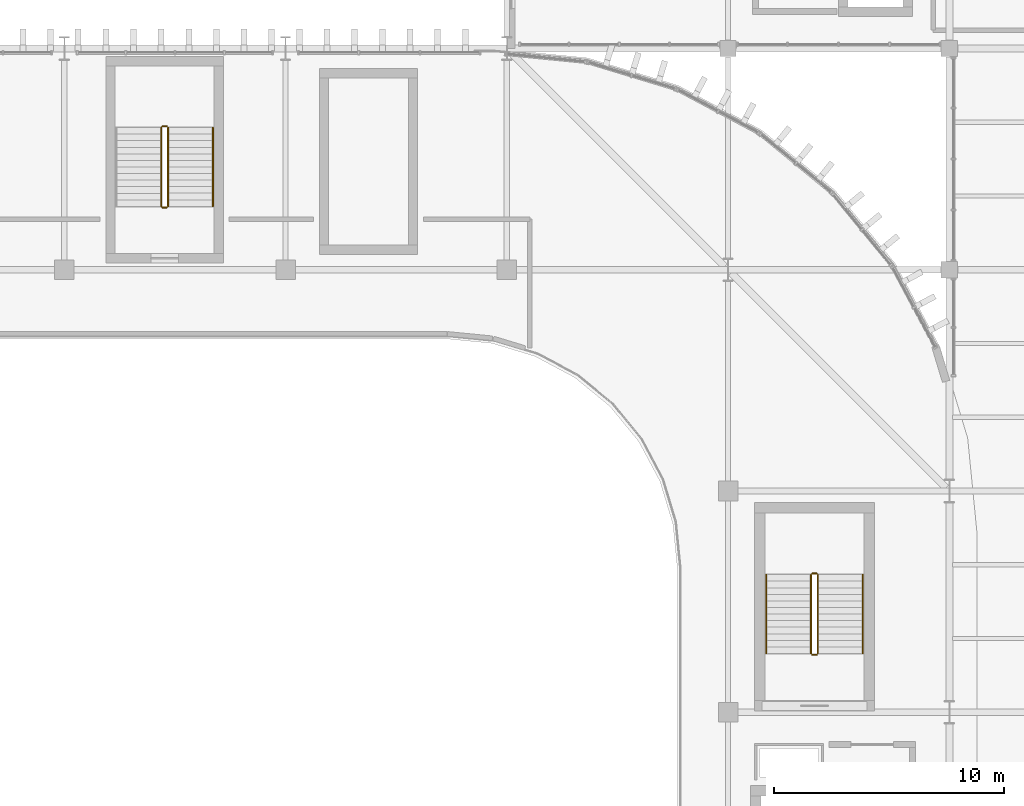
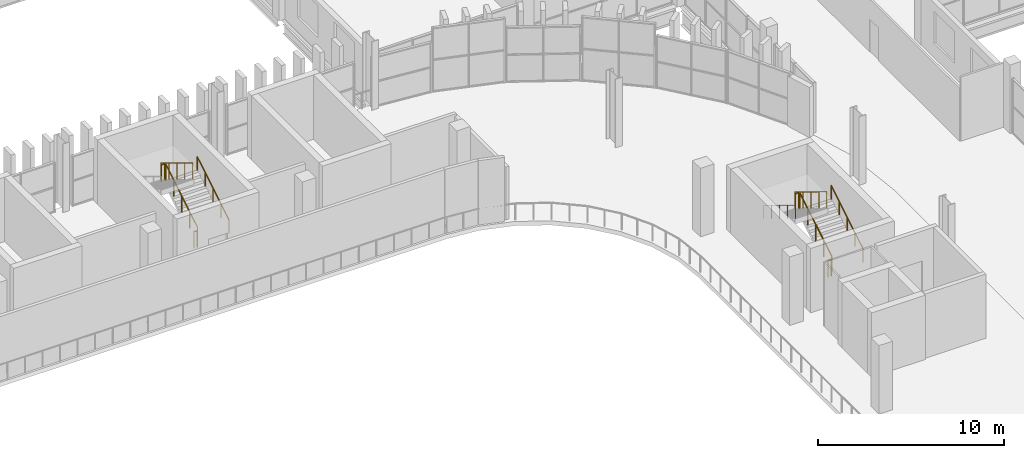
# One storey, part 87 of 92: 11 railings.
"""IFC4 building model written with IfcOpenShell, lengths in metres."""

from ifc_helpers import new_model, si_unit, direction, frame, origin, origin_2d, place, context, subcontext, project, spatial, circle, extrude, material, type_object, element, save


model = new_model("IFC4")

# Units and contexts
model_context = context("Model", 3, precision=1e-05, world=origin(), true_north=direction((0.0, 1.0)))
body_context = subcontext(model_context, "Body", "Model", "MODEL_VIEW")
ifc_project = project(units=[si_unit("LENGTHUNIT", "METRE"), si_unit("AREAUNIT", "SQUARE_METRE"), si_unit("VOLUMEUNIT", "CUBIC_METRE"), si_unit("PLANEANGLEUNIT", "RADIAN"), si_unit("MASSUNIT", "GRAM", prefix="KILO")], contexts=[model_context])

# Site, building, storey
site_placement = place(None, origin())
site = spatial("IfcSite", under=ifc_project, at=site_placement, CompositionType="ELEMENT")
building_placement = place(site_placement, origin())
building = spatial("IfcBuilding", under=site, at=building_placement, Name="Caelomonte Colonnade Arena", CompositionType="ELEMENT")
storey_placement = place(building_placement, frame((0.0, 0.0, 9.60009765625)))
storey = spatial("IfcBuildingStorey", under=building, at=storey_placement, Name="L02", CompositionType="ELEMENT", Elevation=9.60009765625)

# Railings
ifc_material_1 = material(Name="Painted galvanized steel stair guard", Category="steel")
railing_type_1 = type_object("IfcRailingType", Name="INT-RL-GRD", PredefinedType="GUARDRAIL", material=ifc_material_1)
railing_1_placement = place(storey_placement, frame((157.5, 88.949951171875, 0.173095703125)))
element("IfcRailing", 1, at=railing_1_placement, inside=storey, type_object=railing_type_1, Name="L02 ST-03 stair guard 1", PredefinedType="GUARDRAIL", context=body_context, shape_type="SweptSolid", body=[
    extrude(circle(Radius=0.02392578125, at=origin_2d()), frame((0.0, 0.0, 1.076171875), z_axis=(0.0, 0.854745945586, 0.519046595696), x_axis=(-1.0, 0.0, 0.0)), (0.0, 0.0, 1.0), 4.00146484375),
    extrude(circle(Radius=0.02099609375, at=origin_2d()), origin(), (0.0, 0.0, 1.0), 1.048095703125),
    extrude(circle(Radius=0.02099609375, at=origin_2d()), frame((0.0, 0.85498046875, 0.519287109375)), (0.0, 0.0, 1.0), 1.048095703125),
    extrude(circle(Radius=0.02099609375, at=origin_2d()), frame((0.0, 1.7099609375, 1.03857421875)), (0.0, 0.0, 1.0), 1.048095703125),
    extrude(circle(Radius=0.02099609375, at=origin_2d()), frame((0.0, 2.565185546875, 1.5576171875)), (0.0, 0.0, 1.0), 1.048095703125),
    extrude(circle(Radius=0.02099609375, at=origin_2d()), frame((0.0, 3.420166015625, 2.076904296875)), (0.0, 0.0, 1.0), 1.048095703125),
])
railing_2_placement = place(storey_placement, frame((157.449951171875, 92.419921875, 2.25)))
element("IfcRailing", 2, at=railing_2_placement, inside=storey, type_object=railing_type_1, Name="L02 ST-03 stair guard 2", PredefinedType="GUARDRAIL", context=body_context, shape_type="SweptSolid", body=[
    extrude(circle(Radius=0.02392578125, at=origin_2d()), frame((0.0, 0.0, 1.076171875), z_axis=(-1.0, 0.0, 0.0), x_axis=(0.0, -1.0, 0.0)), (0.0, 0.0, 1.0), 0.199951171875),
    extrude(circle(Radius=0.02099609375, at=origin_2d()), origin(), (0.0, 0.0, 1.0), 1.048095703125),
    extrude(circle(Radius=0.02099609375, at=origin_2d()), frame((-0.199951171875, 0.0, 0.0)), (0.0, 0.0, 1.0), 1.048095703125),
])
railing_3_placement = place(storey_placement, frame((157.199951171875, 92.3701171875, 2.423095703125)))
element("IfcRailing", 3, at=railing_3_placement, inside=storey, type_object=railing_type_1, Name="L02 ST-03 stair guard 3", PredefinedType="GUARDRAIL", context=body_context, shape_type="SweptSolid", body=[
    extrude(circle(Radius=0.02392578125, at=origin_2d()), frame((0.0, 0.0, 1.076171875), z_axis=(0.0, -0.854745945586, 0.519046595696), x_axis=(1.0, 0.0, 0.0)), (0.0, 0.0, 1.0), 4.00146484375),
    extrude(circle(Radius=0.02099609375, at=origin_2d()), origin(), (0.0, 0.0, 1.0), 1.048095703125),
    extrude(circle(Radius=0.02099609375, at=origin_2d()), frame((0.0, -0.85498046875, 0.519287109375)), (0.0, 0.0, 1.0), 1.048095703125),
    extrude(circle(Radius=0.02099609375, at=origin_2d()), frame((0.0, -1.7099609375, 1.03857421875)), (0.0, 0.0, 1.0), 1.048095703125),
    extrude(circle(Radius=0.02099609375, at=origin_2d()), frame((0.0, -2.565185546875, 1.5576171875)), (0.0, 0.0, 1.0), 1.048095703125),
    extrude(circle(Radius=0.02099609375, at=origin_2d()), frame((0.0, -3.420166015625, 2.076904296875)), (0.0, 0.0, 1.0), 1.048095703125),
])
railing_4_placement = place(storey_placement, frame((157.449951171875, 88.89990234375, 0.0)))
element("IfcRailing", 4, at=railing_4_placement, inside=storey, type_object=railing_type_1, Name="L02 ST-03 stair guard 4", PredefinedType="GUARDRAIL", context=body_context, shape_type="SweptSolid", body=[
    extrude(circle(Radius=0.02392578125, at=origin_2d()), frame((0.0, 0.0, 1.076171875), z_axis=(-1.0, 0.0, 0.0), x_axis=(0.0, -1.0, 0.0)), (0.0, 0.0, 1.0), 0.199951171875),
    extrude(circle(Radius=0.02099609375, at=origin_2d()), origin(), (0.0, 0.0, 1.0), 1.048095703125),
    extrude(circle(Radius=0.02099609375, at=origin_2d()), frame((-0.199951171875, 0.0, 0.0)), (0.0, 0.0, 1.0), 1.048095703125),
])
railing_5_placement = place(storey_placement, frame((129.300048828125, 108.35009765625, 0.173095703125)))
element("IfcRailing", 5, at=railing_5_placement, inside=storey, type_object=railing_type_1, Name="L02 ST-16 stair guard 1", PredefinedType="GUARDRAIL", context=body_context, shape_type="SweptSolid", body=[
    extrude(circle(Radius=0.02392578125, at=origin_2d()), frame((0.0, 0.0, 1.076171875), z_axis=(0.0, 0.854729506542, 0.519073665916), x_axis=(-1.0, 0.0, 0.0)), (0.0, 0.0, 1.0), 4.001220703125),
    extrude(circle(Radius=0.02099609375, at=origin_2d()), origin(), (0.0, 0.0, 1.0), 1.048095703125),
    extrude(circle(Radius=0.02099609375, at=origin_2d()), frame((0.0, 0.85498046875, 0.519287109375)), (0.0, 0.0, 1.0), 1.048095703125),
    extrude(circle(Radius=0.02099609375, at=origin_2d()), frame((0.0, 1.7099609375, 1.03857421875)), (0.0, 0.0, 1.0), 1.048095703125),
    extrude(circle(Radius=0.02099609375, at=origin_2d()), frame((0.0, 2.56494140625, 1.5576171875)), (0.0, 0.0, 1.0), 1.048095703125),
    extrude(circle(Radius=0.02099609375, at=origin_2d()), frame((0.0, 3.419921875, 2.076904296875)), (0.0, 0.0, 1.0), 1.048095703125),
])
railing_6_placement = place(storey_placement, frame((129.25, 111.820068359375, 2.25)))
element("IfcRailing", 6, at=railing_6_placement, inside=storey, type_object=railing_type_1, Name="L02 ST-16 stair guard 2", PredefinedType="GUARDRAIL", context=body_context, shape_type="SweptSolid", body=[
    extrude(circle(Radius=0.02392578125, at=origin_2d()), frame((0.0, 0.0, 1.076171875), z_axis=(-1.0, 0.0, 0.0), x_axis=(0.0, -1.0, 0.0)), (0.0, 0.0, 1.0), 0.199951171875),
    extrude(circle(Radius=0.02099609375, at=origin_2d()), origin(), (0.0, 0.0, 1.0), 1.048095703125),
    extrude(circle(Radius=0.02099609375, at=origin_2d()), frame((-0.199951171875, 0.0, 0.0)), (0.0, 0.0, 1.0), 1.048095703125),
])
railing_7_placement = place(storey_placement, frame((129.0, 111.77001953125, 2.423095703125)))
element("IfcRailing", 7, at=railing_7_placement, inside=storey, type_object=railing_type_1, Name="L02 ST-16 stair guard 3", PredefinedType="GUARDRAIL", context=body_context, shape_type="SweptSolid", body=[
    extrude(circle(Radius=0.02392578125, at=origin_2d()), frame((0.0, 0.0, 1.076171875), z_axis=(0.0, -0.854729506542, 0.519073665916), x_axis=(1.0, 0.0, 0.0)), (0.0, 0.0, 1.0), 4.001220703125),
    extrude(circle(Radius=0.02099609375, at=origin_2d()), origin(), (0.0, 0.0, 1.0), 1.048095703125),
    extrude(circle(Radius=0.02099609375, at=origin_2d()), frame((0.0, -0.85498046875, 0.519287109375)), (0.0, 0.0, 1.0), 1.048095703125),
    extrude(circle(Radius=0.02099609375, at=origin_2d()), frame((0.0, -1.7099609375, 1.03857421875)), (0.0, 0.0, 1.0), 1.048095703125),
    extrude(circle(Radius=0.02099609375, at=origin_2d()), frame((0.0, -2.56494140625, 1.5576171875)), (0.0, 0.0, 1.0), 1.048095703125),
    extrude(circle(Radius=0.02099609375, at=origin_2d()), frame((0.0, -3.419921875, 2.076904296875)), (0.0, 0.0, 1.0), 1.048095703125),
])
railing_8_placement = place(storey_placement, frame((129.25, 108.300048828125, 0.0)))
element("IfcRailing", 8, at=railing_8_placement, inside=storey, type_object=railing_type_1, Name="L02 ST-16 stair guard 4", PredefinedType="GUARDRAIL", context=body_context, shape_type="SweptSolid", body=[
    extrude(circle(Radius=0.02392578125, at=origin_2d()), frame((0.0, 0.0, 1.076171875), z_axis=(-1.0, 0.0, 0.0), x_axis=(0.0, -1.0, 0.0)), (0.0, 0.0, 1.0), 0.199951171875),
    extrude(circle(Radius=0.02099609375, at=origin_2d()), origin(), (0.0, 0.0, 1.0), 1.048095703125),
    extrude(circle(Radius=0.02099609375, at=origin_2d()), frame((-0.199951171875, 0.0, 0.0)), (0.0, 0.0, 1.0), 1.048095703125),
])
ifc_material_2 = material(Name="Brushed stainless steel stair handrail", Category="steel")
railing_type_2 = type_object("IfcRailingType", Name="INT-RL-HR", PredefinedType="HANDRAIL", material=ifc_material_2)
railing_9_placement = place(storey_placement, frame((159.449951171875, 88.949951171875, 0.173095703125)))
element("IfcRailing", 9, at=railing_9_placement, inside=storey, type_object=railing_type_2, Name="L02 ST-03 stair handrail 1", PredefinedType="HANDRAIL", context=body_context, shape_type="SweptSolid", body=[
    extrude(circle(Radius=0.02392578125, at=origin_2d()), frame((0.0, 0.0, 0.8759765625), z_axis=(0.0, 0.854745945586, 0.519046595696), x_axis=(-1.0, 0.0, 0.0)), (0.0, 0.0, 1.0), 4.00146484375),
    extrude(circle(Radius=0.02099609375, at=origin_2d()), origin(), (0.0, 0.0, 1.0), 0.847900390625),
    extrude(circle(Radius=0.02099609375, at=origin_2d()), frame((0.0, 0.85498046875, 0.519287109375)), (0.0, 0.0, 1.0), 0.847900390625),
    extrude(circle(Radius=0.02099609375, at=origin_2d()), frame((0.0, 1.7099609375, 1.03857421875)), (0.0, 0.0, 1.0), 0.847900390625),
    extrude(circle(Radius=0.02099609375, at=origin_2d()), frame((0.0, 2.565185546875, 1.5576171875)), (0.0, 0.0, 1.0), 0.847900390625),
    extrude(circle(Radius=0.02099609375, at=origin_2d()), frame((0.0, 3.420166015625, 2.076904296875)), (0.0, 0.0, 1.0), 0.847900390625),
])
railing_10_placement = place(storey_placement, frame((155.25, 92.3701171875, 2.423095703125)))
element("IfcRailing", 10, at=railing_10_placement, inside=storey, type_object=railing_type_2, Name="L02 ST-03 stair handrail 2", PredefinedType="HANDRAIL", context=body_context, shape_type="SweptSolid", body=[
    extrude(circle(Radius=0.02392578125, at=origin_2d()), frame((0.0, 0.0, 0.8759765625), z_axis=(0.0, -0.854745945586, 0.519046595696), x_axis=(1.0, 0.0, 0.0)), (0.0, 0.0, 1.0), 4.00146484375),
    extrude(circle(Radius=0.02099609375, at=origin_2d()), origin(), (0.0, 0.0, 1.0), 0.847900390625),
    extrude(circle(Radius=0.02099609375, at=origin_2d()), frame((0.0, -0.85498046875, 0.519287109375)), (0.0, 0.0, 1.0), 0.847900390625),
    extrude(circle(Radius=0.02099609375, at=origin_2d()), frame((0.0, -1.7099609375, 1.03857421875)), (0.0, 0.0, 1.0), 0.847900390625),
    extrude(circle(Radius=0.02099609375, at=origin_2d()), frame((0.0, -2.565185546875, 1.5576171875)), (0.0, 0.0, 1.0), 0.847900390625),
    extrude(circle(Radius=0.02099609375, at=origin_2d()), frame((0.0, -3.420166015625, 2.076904296875)), (0.0, 0.0, 1.0), 0.847900390625),
])
railing_11_placement = place(storey_placement, frame((131.25, 108.35009765625, 0.173095703125)))
element("IfcRailing", 11, at=railing_11_placement, inside=storey, type_object=railing_type_2, Name="L02 ST-16 stair handrail 1", PredefinedType="HANDRAIL", context=body_context, shape_type="SweptSolid", body=[
    extrude(circle(Radius=0.02392578125, at=origin_2d()), frame((0.0, 0.0, 0.8759765625), z_axis=(0.0, 0.854729506542, 0.519073665916), x_axis=(-1.0, 0.0, 0.0)), (0.0, 0.0, 1.0), 4.001220703125),
    extrude(circle(Radius=0.02099609375, at=origin_2d()), origin(), (0.0, 0.0, 1.0), 0.847900390625),
    extrude(circle(Radius=0.02099609375, at=origin_2d()), frame((0.0, 0.85498046875, 0.519287109375)), (0.0, 0.0, 1.0), 0.847900390625),
    extrude(circle(Radius=0.02099609375, at=origin_2d()), frame((0.0, 1.7099609375, 1.03857421875)), (0.0, 0.0, 1.0), 0.847900390625),
    extrude(circle(Radius=0.02099609375, at=origin_2d()), frame((0.0, 2.56494140625, 1.5576171875)), (0.0, 0.0, 1.0), 0.847900390625),
    extrude(circle(Radius=0.02099609375, at=origin_2d()), frame((0.0, 3.419921875, 2.076904296875)), (0.0, 0.0, 1.0), 0.847900390625),
])

save(model, "model.ifc")
